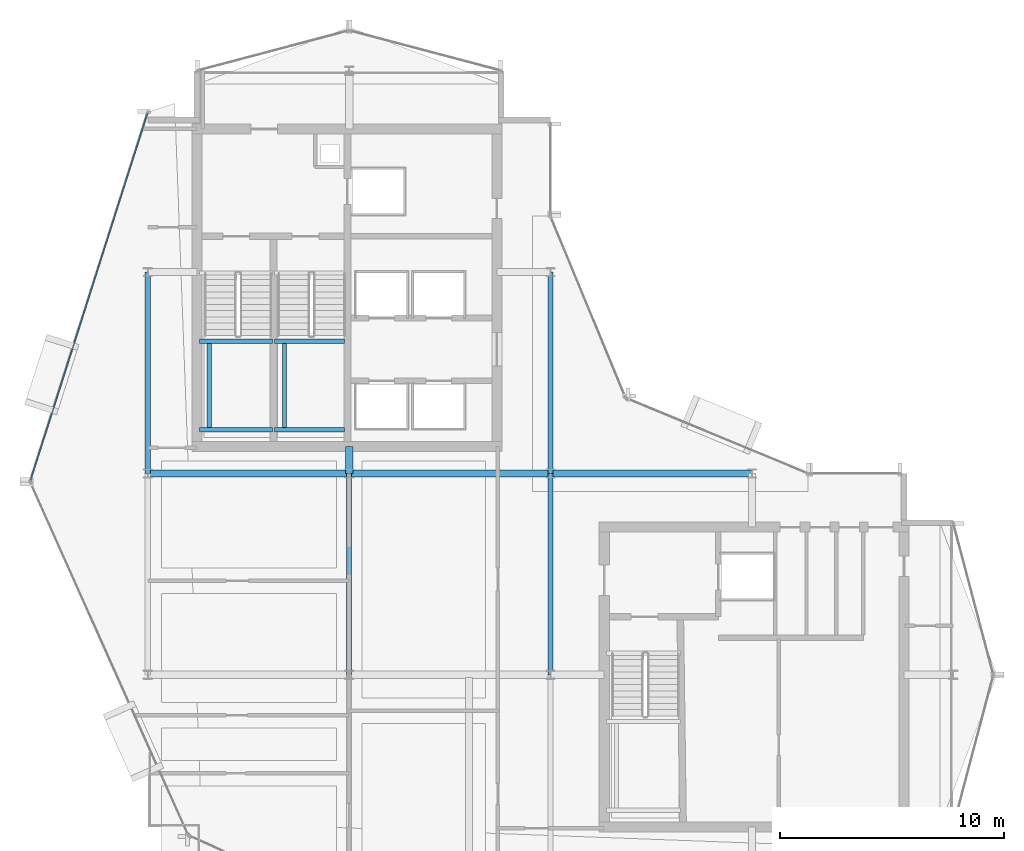
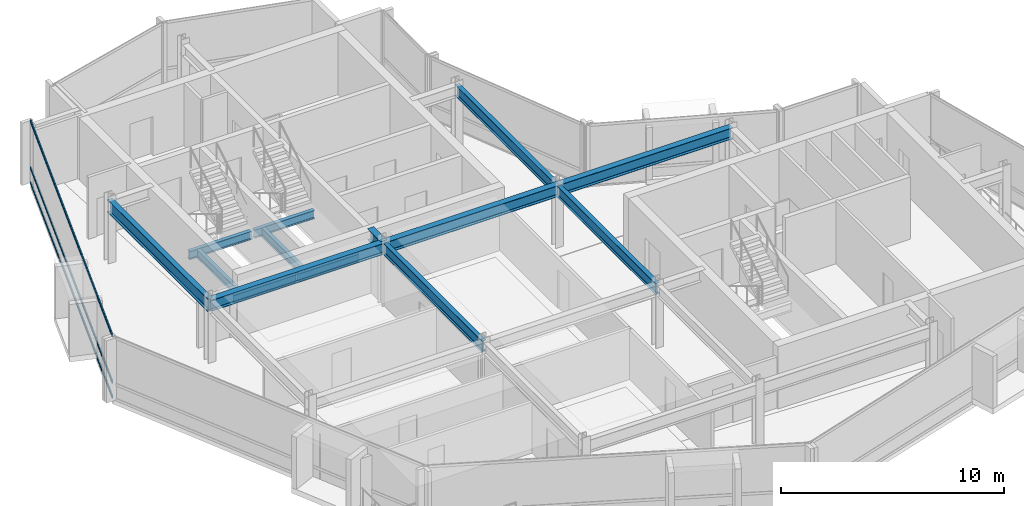
# One storey, part 7 of 19: 14 beams, 3 members, 1 element without a shape of its own.
"""IFC4 building model written with IfcOpenShell, lengths in metres."""

from ifc_helpers import new_model, si_unit, direction, frame, origin, origin_2d, place, context, subcontext, project, spatial, hollow_rectangle, i_section, extrude, material, layer, layer_set, material_profile, profile_set, type_object, element, aggregate, save


model = new_model("IFC4")

# Units and contexts
model_context = context("Model", 3, precision=1e-05, world=origin(), true_north=direction((0.0, 1.0)))
body_context = subcontext(model_context, "Body", "Model", "MODEL_VIEW")
ifc_project = project(units=[si_unit("LENGTHUNIT", "METRE"), si_unit("AREAUNIT", "SQUARE_METRE"), si_unit("VOLUMEUNIT", "CUBIC_METRE"), si_unit("PLANEANGLEUNIT", "RADIAN"), si_unit("MASSUNIT", "GRAM", prefix="KILO")], contexts=[model_context])

# Site, building, storey
site_placement = place(None, origin())
site = spatial("IfcSite", under=ifc_project, at=site_placement, CompositionType="ELEMENT")
building_placement = place(site_placement, origin())
building = spatial("IfcBuilding", under=site, at=building_placement, Name="Solvaryn Broadcast Tower", CompositionType="ELEMENT")
storey_placement = place(building_placement, frame((0.0, 0.0, 240.800048828125)))
storey = spatial("IfcBuildingStorey", under=building, at=storey_placement, Name="L60", CompositionType="ELEMENT", Elevation=240.800048828125)

# Beams
ifc_material_1 = material(Name="Steel ASTM A992 Grade 50", Category="steel")
ifc_material_profile_1 = material_profile(ifc_material_1, i_section(OverallWidth=0.323974609375, OverallDepth=0.611083984375, WebThickness=0.0126953125, FlangeThickness=0.01904296875, FilletRadius=0.014892578125, at=origin_2d()))
ifc_profile_set_1 = profile_set([ifc_material_profile_1], Name="Steel ASTM A992 Grade 50")
beam_type_1 = type_object("IfcBeamType", Name="BM-B1-W24X104", PredefinedType="BEAM", material=ifc_profile_set_1)
for number, where, z_axis, x_axis, name in (
    (1, (9.0, 27.0, 3.114501953125), (1.0, 0.0, 0.0), (0.0, 1.0, 0.0), "L60 Primary Beam X (9-18 @ Y=27)"),
    (2, (18.0, 27.0, 3.114501953125), (1.0, 0.0, 0.0), (0.0, 1.0, 0.0), "L60 Primary Beam X (18-27 @ Y=27)"),
    (3, (27.0, 27.0, 3.114501953125), (1.0, 0.0, 0.0), (0.0, 1.0, 0.0), "L60 Primary Beam X (27-36 @ Y=27)"),
):
    element("IfcBeam", number, at=place(storey_placement, frame(where, z_axis=z_axis, x_axis=x_axis)), inside=storey, type_object=beam_type_1, Name=name, PredefinedType="BEAM", context=body_context, shape_type="SweptSolid", body=[
        extrude(i_section(OverallWidth=0.323974609375, OverallDepth=0.611083984375, WebThickness=0.0126953125, FlangeThickness=0.01904296875, FilletRadius=0.014892578125, at=origin_2d()), origin(), (0.0, 0.0, 1.0), 9.0),
    ])
beam_1_placement = place(storey_placement, frame((18.0, 27.0, 3.114501953125), z_axis=(0.0, 1.0, 0.0), x_axis=(-1.0, 0.0, 0.0)))
element("IfcBeam", 4, at=beam_1_placement, inside=storey, type_object=beam_type_1, Name="L60 Core Tie Beam CTW4", PredefinedType="BEAM", context=body_context, shape_type="SweptSolid", body=[
    extrude(i_section(OverallWidth=0.323974609375, OverallDepth=0.611083984375, WebThickness=0.0126953125, FlangeThickness=0.01904296875, FilletRadius=0.014892578125, at=origin_2d()), origin(), (0.0, 0.0, 1.0), 1.199951171875),
])
ifc_material_2 = material(Name="Steel ASTM A992 Grade 50", Category="steel")
ifc_material_profile_2 = material_profile(ifc_material_2, i_section(OverallWidth=0.22802734375, OverallDepth=0.60791015625, WebThickness=0.01123046875, FlangeThickness=0.017333984375, FilletRadius=0.014892578125, at=origin_2d()))
ifc_profile_set_2 = profile_set([ifc_material_profile_2], Name="Steel ASTM A992 Grade 50")
beam_type_2 = type_object("IfcBeamType", Name="BM-B2-W24X76", PredefinedType="BEAM", material=ifc_profile_set_2)
for number, where, z_axis, x_axis, name in (
    (5, (18.0, 18.0, 3.115966796875), (0.0, 1.0, 0.0), (-1.0, 0.0, 0.0), "L60 Primary Beam Y (18-27 @ X=18)"),
    (6, (27.0, 18.0, 3.115966796875), (0.0, 1.0, 0.0), (-1.0, 0.0, 0.0), "L60 Primary Beam Y (18-27 @ X=27)"),
    (7, (27.0, 27.0, 3.115966796875), (0.0, 1.0, 0.0), (-1.0, 0.0, 0.0), "L60 Primary Beam Y (27-36 @ X=27)"),
):
    element("IfcBeam", number, at=place(storey_placement, frame(where, z_axis=z_axis, x_axis=x_axis)), inside=storey, type_object=beam_type_2, Name=name, PredefinedType="BEAM", context=body_context, shape_type="SweptSolid", body=[
        extrude(i_section(OverallWidth=0.22802734375, OverallDepth=0.60791015625, WebThickness=0.01123046875, FlangeThickness=0.017333984375, FilletRadius=0.014892578125, at=origin_2d()), origin(), (0.0, 0.0, 1.0), 9.0),
    ])
ifc_material_3 = material(Name="Steel ASTM A992 Grade 50", Category="steel")
ifc_material_profile_3 = material_profile(ifc_material_3, i_section(OverallWidth=0.18994140625, OverallDepth=0.45703125, WebThickness=0.009033203125, FlangeThickness=0.014404296875, FilletRadius=0.011962890625, at=origin_2d()))
ifc_profile_set_3 = profile_set([ifc_material_profile_3], Name="Steel ASTM A992 Grade 50")
beam_type_3 = type_object("IfcBeamType", Name="BM-B4-W18X50", PredefinedType="BEAM", material=ifc_profile_set_3)
for number, where, z_axis, x_axis, name in (
    (8, (11.300048828125, 28.949951171875, 1.42138671875), (1.0, 0.0, 0.0), (0.0, 1.0, 0.0), "L60 ST1 Landing Support Beam 1A"),
    (9, (11.300048828125, 32.909912109375, 1.42138671875), (1.0, 0.0, 0.0), (0.0, 1.0, 0.0), "L60 ST1 Landing Support Beam 1B"),
):
    element("IfcBeam", number, at=place(storey_placement, frame(where, z_axis=z_axis, x_axis=x_axis)), inside=storey, type_object=beam_type_3, Name=name, PredefinedType="BEAM", context=body_context, shape_type="SweptSolid", body=[
        extrude(i_section(OverallWidth=0.18994140625, OverallDepth=0.45703125, WebThickness=0.009033203125, FlangeThickness=0.014404296875, FilletRadius=0.011962890625, at=origin_2d()), origin(), (0.0, 0.0, 1.0), 3.280029296875),
    ])
beam_2_placement = place(storey_placement, frame((11.75, 28.949951171875, 1.42138671875), z_axis=(0.0, 1.0, 0.0), x_axis=(-1.0, 0.0, 0.0)))
element("IfcBeam", 10, at=beam_2_placement, inside=storey, type_object=beam_type_3, Name="L60 ST1 Landing Cross Stringer 1C", PredefinedType="BEAM", context=body_context, shape_type="SweptSolid", body=[
    extrude(i_section(OverallWidth=0.18994140625, OverallDepth=0.45703125, WebThickness=0.009033203125, FlangeThickness=0.014404296875, FilletRadius=0.011962890625, at=origin_2d()), origin(), (0.0, 0.0, 1.0), 3.9599609375),
])
for number, where, z_axis, x_axis, name in (
    (11, (14.659912109375, 28.949951171875, 1.42138671875), (1.0, 0.0, 0.0), (0.0, 1.0, 0.0), "L60 ST2 Landing Support Beam 1A"),
    (12, (14.659912109375, 32.909912109375, 1.42138671875), (1.0, 0.0, 0.0), (0.0, 1.0, 0.0), "L60 ST2 Landing Support Beam 1B"),
):
    element("IfcBeam", number, at=place(storey_placement, frame(where, z_axis=z_axis, x_axis=x_axis)), inside=storey, type_object=beam_type_3, Name=name, PredefinedType="BEAM", context=body_context, shape_type="SweptSolid", body=[
        extrude(i_section(OverallWidth=0.18994140625, OverallDepth=0.45703125, WebThickness=0.009033203125, FlangeThickness=0.014404296875, FilletRadius=0.011962890625, at=origin_2d()), origin(), (0.0, 0.0, 1.0), 3.14013671875),
    ])
beam_3_placement = place(storey_placement, frame((15.110107421875, 28.949951171875, 1.42138671875), z_axis=(0.0, 1.0, 0.0), x_axis=(-1.0, 0.0, 0.0)))
element("IfcBeam", 13, at=beam_3_placement, inside=storey, type_object=beam_type_3, Name="L60 ST2 Landing Cross Stringer 1C", PredefinedType="BEAM", context=body_context, shape_type="SweptSolid", body=[
    extrude(i_section(OverallWidth=0.18994140625, OverallDepth=0.45703125, WebThickness=0.009033203125, FlangeThickness=0.014404296875, FilletRadius=0.011962890625, at=origin_2d()), origin(), (0.0, 0.0, 1.0), 3.9599609375),
])
ifc_material_4 = material(Name="Steel ASTM A992 Grade 50", Category="steel")
ifc_material_profile_4 = material_profile(ifc_material_4, i_section(OverallWidth=0.256103515625, OverallDepth=0.693115234375, WebThickness=0.014404296875, FlangeThickness=0.023681640625, FilletRadius=0.01611328125, at=origin_2d()))
ifc_profile_set_4 = profile_set([ifc_material_profile_4], Name="Steel ASTM A992 Grade 50")
beam_type_4 = type_object("IfcBeamType", Name="BM-SP3-W27X114", PredefinedType="USERDEFINED", material=ifc_profile_set_4)
beam_4_placement = place(storey_placement, frame((9.0, 27.0, 3.073486328125), z_axis=(0.0, 1.0, 0.0), x_axis=(-1.0, 0.0, 0.0)))
element("IfcBeam", 14, at=beam_4_placement, inside=storey, type_object=beam_type_4, Name="L60 Spandrel Beam Y (27-36 @ X=9)", ObjectType="SPANDREL", PredefinedType="USERDEFINED", context=body_context, shape_type="SweptSolid", body=[
    extrude(i_section(OverallWidth=0.256103515625, OverallDepth=0.693115234375, WebThickness=0.014404296875, FlangeThickness=0.023681640625, FilletRadius=0.01611328125, at=origin_2d()), origin(), (0.0, 0.0, 1.0), 9.0),
])

# Curtain wall, members
ifc_material_5 = material(Name="Aluminium and Terracotta Unitised Curtain Wall", Category="masonry")
ifc_layer = layer(ifc_material_5, 0.199951171875)
ifc_layer_set = layer_set([ifc_layer], Name="CW-SYS2-LOWMID")
curtain_wall_type = type_object("IfcCurtainWallType", Name="CW-SYS2-LOWMID", PredefinedType="NOTDEFINED", material=ifc_layer_set)
curtain_wall_placement = place(storey_placement, origin())
curtain_wall = element("IfcCurtainWall", 15, at=curtain_wall_placement, inside=storey, type_object=curtain_wall_type, Name="L60 Curtain Wall DR1", PredefinedType="NOTDEFINED")
ifc_material_6 = material(Name="Anodised Aluminium 6063-T6", Category="aluminium")
ifc_material_profile_5 = material_profile(ifc_material_6, hollow_rectangle(XDim=0.06494140625, YDim=0.14990234375, WallThickness=0.00390625, InnerFilletRadius=0.00390625, OuterFilletRadius=0.008056640625, at=origin_2d()))
ifc_profile_set_5 = profile_set([ifc_material_profile_5], Name="Anodised Aluminium 6063-T6")
member_type = type_object("IfcMemberType", Name="CW-TRN-150", PredefinedType="USERDEFINED", material=ifc_profile_set_5)
member_1_placement = place(storey_placement, frame((8.981689453125, 43.091796875, 0.030029296875), z_axis=(-0.303616405252, -0.952794352661, 0.0), x_axis=(0.952794352661, -0.303616405252, 0.0)))
member_1 = element("IfcMember", 16, at=member_1_placement, type_object=member_type, Name="CWS2 transom 1.1", ObjectType="TRANSOM", PredefinedType="USERDEFINED", context=body_context, shape_type="SweptSolid", body=[
    extrude(hollow_rectangle(XDim=0.06494140625, YDim=0.14990234375, WallThickness=0.00390625, InnerFilletRadius=0.00390625, OuterFilletRadius=0.008056640625, at=origin_2d()), origin(), (0.0, 0.0, 1.0), 17.211181640625),
])
member_2_placement = place(storey_placement, frame((8.981689453125, 43.091796875, 0.849853515625), z_axis=(-0.303616405252, -0.952794352661, 0.0), x_axis=(0.952794352661, -0.303616405252, 0.0)))
member_2 = element("IfcMember", 17, at=member_2_placement, type_object=member_type, Name="CWS2 transom 1.2", ObjectType="TRANSOM", PredefinedType="USERDEFINED", context=body_context, shape_type="SweptSolid", body=[
    extrude(hollow_rectangle(XDim=0.06494140625, YDim=0.14990234375, WallThickness=0.00390625, InnerFilletRadius=0.00390625, OuterFilletRadius=0.008056640625, at=origin_2d()), origin(), (0.0, 0.0, 1.0), 17.211181640625),
])
member_3_placement = place(storey_placement, frame((8.981689453125, 43.091796875, 3.389892578125), z_axis=(-0.303616405252, -0.952794352661, 0.0), x_axis=(0.952794352661, -0.303616405252, 0.0)))
member_3 = element("IfcMember", 18, at=member_3_placement, type_object=member_type, Name="CWS2 transom 1.3", ObjectType="TRANSOM", PredefinedType="USERDEFINED", context=body_context, shape_type="SweptSolid", body=[
    extrude(hollow_rectangle(XDim=0.06494140625, YDim=0.14990234375, WallThickness=0.00390625, InnerFilletRadius=0.00390625, OuterFilletRadius=0.008056640625, at=origin_2d()), origin(), (0.0, 0.0, 1.0), 17.211181640625),
])
aggregate(curtain_wall, [member_1, member_2, member_3])

save(model, "model.ifc")
